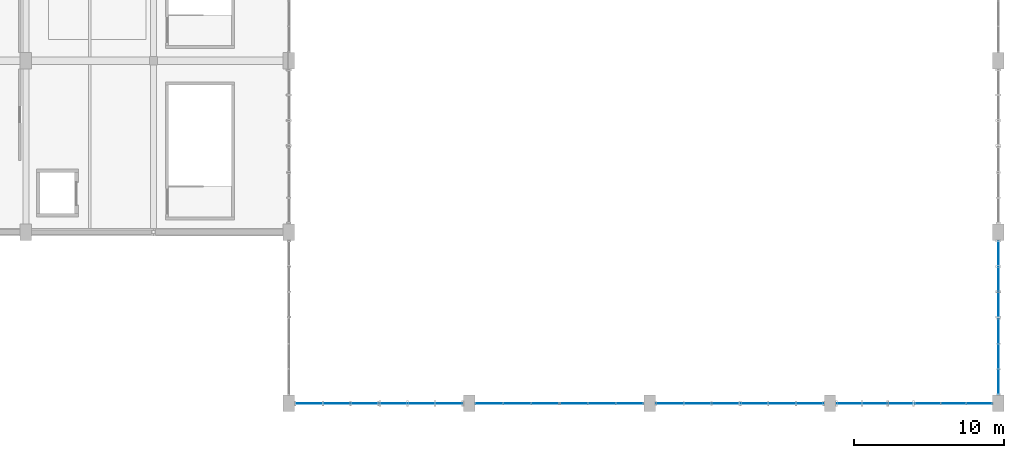
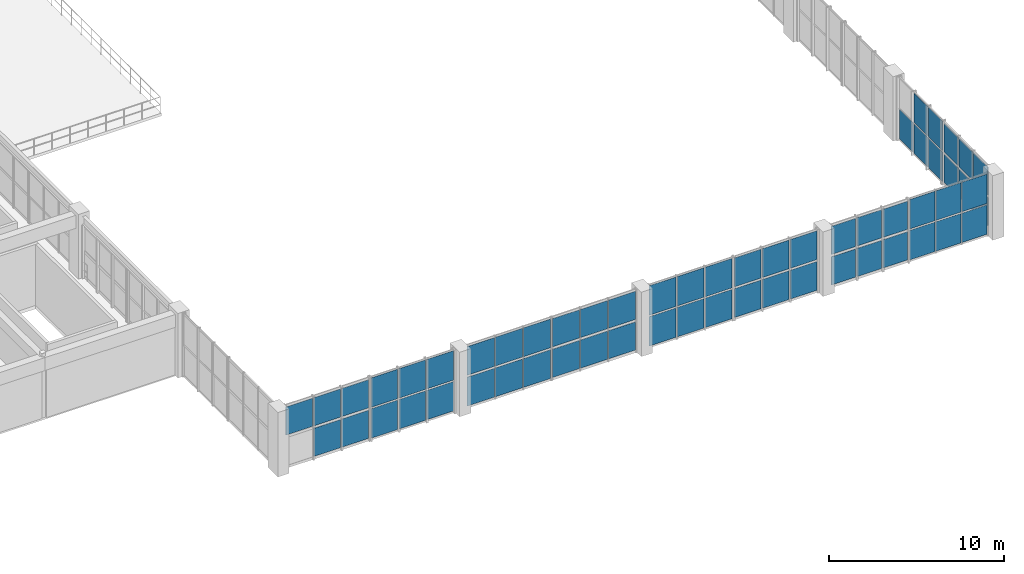
# One storey, part 58 of 80: 58 plates, 10 elements without a shape of their own.
"""IFC4 building model written with IfcOpenShell, lengths in metres."""

from ifc_helpers import new_model, si_unit, direction, frame, origin, origin_2d, place, context, subcontext, project, spatial, rectangle, extrude, material, layer, layer_set, type_object, element, aggregate, save


model = new_model("IFC4")

# Units and contexts
model_context = context("Model", 3, precision=1e-05, world=origin(), true_north=direction((0.0, 1.0)))
body_context = subcontext(model_context, "Body", "Model", "MODEL_VIEW")
ifc_project = project(units=[si_unit("LENGTHUNIT", "METRE"), si_unit("AREAUNIT", "SQUARE_METRE"), si_unit("VOLUMEUNIT", "CUBIC_METRE"), si_unit("PLANEANGLEUNIT", "RADIAN"), si_unit("MASSUNIT", "GRAM", prefix="KILO"), si_unit("POWERUNIT", "WATT"), si_unit("THERMODYNAMICTEMPERATUREUNIT", "KELVIN")], contexts=[model_context])

# Site, building, storey
site_placement = place(None, origin())
site = spatial("IfcSite", under=ifc_project, at=site_placement, CompositionType="ELEMENT")
building_placement = place(site_placement, origin())
building = spatial("IfcBuilding", under=site, at=building_placement, Name="Kelmbourne Parkland Aquatics Centre", CompositionType="ELEMENT")
storey_placement = place(building_placement, frame((0.0, 0.0, 10.199951171875)))
storey = spatial("IfcBuildingStorey", under=building, at=storey_placement, Name="L02", CompositionType="ELEMENT", Elevation=10.199951171875)

# Curtain wall, plates
ifc_material_1 = material(Name="Thermally broken anodised aluminium framing", Category="aluminium")
ifc_layer_1 = layer(ifc_material_1, 0.179931640625)
ifc_layer_set_1 = layer_set([ifc_layer_1], Name="Thermally broken anodised aluminium framing")
curtain_wall_type_1 = type_object("IfcCurtainWallType", Name="CW-02", PredefinedType="NOTDEFINED", material=ifc_layer_set_1)
curtain_wall_1_placement = place(storey_placement, origin())
curtain_wall_1 = element("IfcCurtainWall", 1, at=curtain_wall_1_placement, inside=storey, type_object=curtain_wall_type_1, Name="Wave-hall clerestory curtain wall CW-L02-002", PredefinedType="NOTDEFINED")
ifc_material_2 = material(Name="Double-glazed low-e laminated safety glass", Category="glass")
ifc_layer_2 = layer(ifc_material_2, 0.0419921875)
ifc_layer_set_2 = layer_set([ifc_layer_2], Name="Double-glazed low-e laminated safety glass")
plate_type_1 = type_object("IfcPlateType", Name="PL-CLR-1", PredefinedType="USERDEFINED", material=ifc_layer_set_2)
plate_1_placement = place(storey_placement, frame((175.199951171875, 2.23828125, 2.30908203125), z_axis=(0.0, 0.0, 1.0), x_axis=(0.0, 1.0, 0.0)))
plate_1 = element("IfcPlate", 2, at=plate_1_placement, type_object=plate_type_1, Name="CW-L02-002 clerestory glazing 1-0", ObjectType="CLERESTORY GLAZING", PredefinedType="USERDEFINED", context=body_context, shape_type="SweptSolid", body=[
    extrude(rectangle(XDim=1.61474609375, YDim=0.0419921875, at=origin_2d()), origin(), (0.0, 0.0, 1.0), 1.964111328125),
])
plate_2_placement = place(storey_placement, frame((175.199951171875, 3.926025390625, 2.30908203125), z_axis=(0.0, 0.0, 1.0), x_axis=(0.0, 1.0, 0.0)))
plate_2 = element("IfcPlate", 3, at=plate_2_placement, type_object=plate_type_1, Name="CW-L02-002 clerestory glazing 1-1", ObjectType="CLERESTORY GLAZING", PredefinedType="USERDEFINED", context=body_context, shape_type="SweptSolid", body=[
    extrude(rectangle(XDim=1.614501953125, YDim=0.0419921875, at=origin_2d()), origin(), (0.0, 0.0, 1.0), 1.964111328125),
])
plate_3_placement = place(storey_placement, frame((175.199951171875, 5.61376953125, 2.30908203125), z_axis=(0.0, 0.0, 1.0), x_axis=(0.0, 1.0, 0.0)))
plate_3 = element("IfcPlate", 4, at=plate_3_placement, type_object=plate_type_1, Name="CW-L02-002 clerestory glazing 1-2", ObjectType="CLERESTORY GLAZING", PredefinedType="USERDEFINED", context=body_context, shape_type="SweptSolid", body=[
    extrude(rectangle(XDim=1.61474609375, YDim=0.0419921875, at=origin_2d()), origin(), (0.0, 0.0, 1.0), 1.964111328125),
])

ifc_layer_3 = layer(ifc_material_1, 0.179931640625)
ifc_layer_set_3 = layer_set([ifc_layer_3], Name="Thermally broken anodised aluminium framing")
curtain_wall_type_2 = type_object("IfcCurtainWallType", Name="CW-09", PredefinedType="NOTDEFINED", material=ifc_layer_set_3)
curtain_wall_2_placement = place(storey_placement, origin())
curtain_wall_2 = element("IfcCurtainWall", 5, at=curtain_wall_2_placement, inside=storey, type_object=curtain_wall_type_2, Name="Wave-hall clerestory curtain wall CW-L02-009", PredefinedType="NOTDEFINED")
plate_4_placement = place(storey_placement, frame((175.199951171875, 7.39306640625, 2.279296875), z_axis=(0.0, 0.0, 1.0), x_axis=(0.0, 1.0, 0.0)))
plate_4 = element("IfcPlate", 6, at=plate_4_placement, type_object=plate_type_1, Name="CW-L02-009 clerestory glazing 1-0", ObjectType="CLERESTORY GLAZING", PredefinedType="USERDEFINED", context=body_context, shape_type="SweptSolid", body=[
    extrude(rectangle(XDim=1.587890625, YDim=0.0419921875, at=origin_2d()), origin(), (0.0, 0.0, 1.0), 2.053955078125),
])
plate_5_placement = place(storey_placement, frame((175.199951171875, 9.073974609375, 2.279296875), z_axis=(0.0, 0.0, 1.0), x_axis=(0.0, 1.0, 0.0)))
plate_5 = element("IfcPlate", 7, at=plate_5_placement, type_object=plate_type_1, Name="CW-L02-009 clerestory glazing 1-1", ObjectType="CLERESTORY GLAZING", PredefinedType="USERDEFINED", context=body_context, shape_type="SweptSolid", body=[
    extrude(rectangle(XDim=1.587890625, YDim=0.0419921875, at=origin_2d()), origin(), (0.0, 0.0, 1.0), 2.053955078125),
])

ifc_layer_4 = layer(ifc_material_1, 0.179931640625)
ifc_layer_set_4 = layer_set([ifc_layer_4], Name="Thermally broken anodised aluminium framing")
curtain_wall_type_3 = type_object("IfcCurtainWallType", Name="CW-17", PredefinedType="NOTDEFINED", material=ifc_layer_set_4)
curtain_wall_3_placement = place(storey_placement, origin())
curtain_wall_3 = element("IfcCurtainWall", 8, at=curtain_wall_3_placement, inside=storey, type_object=curtain_wall_type_3, Name="Wave-hall clerestory curtain wall CW-L02-113", PredefinedType="NOTDEFINED")
plate_6_placement = place(storey_placement, frame((129.345947265625, 0.800048828125, 2.30908203125), z_axis=(0.0, 0.0, 1.0), x_axis=(1.0, 0.0, 0.0)))
plate_6 = element("IfcPlate", 9, at=plate_6_placement, type_object=plate_type_1, Name="CW-L02-113 clerestory glazing 1-0", ObjectType="CLERESTORY GLAZING", PredefinedType="USERDEFINED", context=body_context, shape_type="SweptSolid", body=[
    extrude(rectangle(XDim=1.759765625, YDim=0.0419921875, at=origin_2d()), origin(), (0.0, 0.0, 1.0), 1.964111328125),
])
plate_7_placement = place(storey_placement, frame((131.1884765625, 0.800048828125, 2.30908203125), z_axis=(0.0, 0.0, 1.0), x_axis=(1.0, 0.0, 0.0)))
plate_7 = element("IfcPlate", 10, at=plate_7_placement, type_object=plate_type_1, Name="CW-L02-113 clerestory glazing 1-1", ObjectType="CLERESTORY GLAZING", PredefinedType="USERDEFINED", context=body_context, shape_type="SweptSolid", body=[
    extrude(rectangle(XDim=1.759521484375, YDim=0.0419921875, at=origin_2d()), origin(), (0.0, 0.0, 1.0), 1.964111328125),
])
plate_8_placement = place(storey_placement, frame((133.031005859375, 0.800048828125, 2.30908203125), z_axis=(0.0, 0.0, 1.0), x_axis=(1.0, 0.0, 0.0)))
plate_8 = element("IfcPlate", 11, at=plate_8_placement, type_object=plate_type_1, Name="CW-L02-113 clerestory glazing 1-2", ObjectType="CLERESTORY GLAZING", PredefinedType="USERDEFINED", context=body_context, shape_type="SweptSolid", body=[
    extrude(rectangle(XDim=1.759765625, YDim=0.0419921875, at=origin_2d()), origin(), (0.0, 0.0, 1.0), 1.964111328125),
])

ifc_layer_5 = layer(ifc_material_1, 0.179931640625)
ifc_layer_set_5 = layer_set([ifc_layer_5], Name="Thermally broken anodised aluminium framing")
curtain_wall_type_4 = type_object("IfcCurtainWallType", Name="CW-18", PredefinedType="NOTDEFINED", material=ifc_layer_set_5)
curtain_wall_4_placement = place(storey_placement, origin())
curtain_wall_4 = element("IfcCurtainWall", 12, at=curtain_wall_4_placement, inside=storey, type_object=curtain_wall_type_4, Name="Wave-hall clerestory curtain wall CW-L02-114", PredefinedType="NOTDEFINED")
plate_9_placement = place(storey_placement, frame((134.97216796875, 0.800048828125, 2.279296875), z_axis=(0.0, 0.0, 1.0), x_axis=(1.0, 0.0, 0.0)))
plate_9 = element("IfcPlate", 13, at=plate_9_placement, type_object=plate_type_1, Name="CW-L02-114 clerestory glazing 1-0", ObjectType="CLERESTORY GLAZING", PredefinedType="USERDEFINED", context=body_context, shape_type="SweptSolid", body=[
    extrude(rectangle(XDim=1.746337890625, YDim=0.0419921875, at=origin_2d()), origin(), (0.0, 0.0, 1.0), 2.053955078125),
])
plate_10_placement = place(storey_placement, frame((136.8115234375, 0.800048828125, 2.279296875), z_axis=(0.0, 0.0, 1.0), x_axis=(1.0, 0.0, 0.0)))
plate_10 = element("IfcPlate", 14, at=plate_10_placement, type_object=plate_type_1, Name="CW-L02-114 clerestory glazing 1-1", ObjectType="CLERESTORY GLAZING", PredefinedType="USERDEFINED", context=body_context, shape_type="SweptSolid", body=[
    extrude(rectangle(XDim=1.746337890625, YDim=0.0419921875, at=origin_2d()), origin(), (0.0, 0.0, 1.0), 2.053955078125),
])
plate_11_placement = place(storey_placement, frame((138.65087890625, 0.800048828125, 2.279296875), z_axis=(0.0, 0.0, 1.0), x_axis=(1.0, 0.0, 0.0)))
plate_11 = element("IfcPlate", 15, at=plate_11_placement, type_object=plate_type_1, Name="CW-L02-114 clerestory glazing 1-2", ObjectType="CLERESTORY GLAZING", PredefinedType="USERDEFINED", context=body_context, shape_type="SweptSolid", body=[
    extrude(rectangle(XDim=1.746337890625, YDim=0.0419921875, at=origin_2d()), origin(), (0.0, 0.0, 1.0), 2.053955078125),
])

ifc_layer_6 = layer(ifc_material_1, 0.179931640625)
ifc_layer_set_6 = layer_set([ifc_layer_6], Name="Thermally broken anodised aluminium framing")
curtain_wall_type_5 = type_object("IfcCurtainWallType", Name="CW-19", PredefinedType="NOTDEFINED", material=ifc_layer_set_6)
curtain_wall_5_placement = place(storey_placement, origin())
curtain_wall_5 = element("IfcCurtainWall", 16, at=curtain_wall_5_placement, inside=storey, type_object=curtain_wall_type_5, Name="Wave-hall clerestory curtain wall CW-L02-115", PredefinedType="NOTDEFINED")
plate_12_placement = place(storey_placement, frame((141.3359375, 0.800048828125, 2.2939453125), z_axis=(0.0, 0.0, 1.0), x_axis=(1.0, 0.0, 0.0)))
plate_12 = element("IfcPlate", 17, at=plate_12_placement, type_object=plate_type_1, Name="CW-L02-115 clerestory glazing 1-0", ObjectType="CLERESTORY GLAZING", PredefinedType="USERDEFINED", context=body_context, shape_type="SweptSolid", body=[
    extrude(rectangle(XDim=1.7998046875, YDim=0.0419921875, at=origin_2d()), origin(), (0.0, 0.0, 1.0), 2.009033203125),
])
plate_13_placement = place(storey_placement, frame((143.1884765625, 0.800048828125, 2.2939453125), z_axis=(0.0, 0.0, 1.0), x_axis=(1.0, 0.0, 0.0)))
plate_13 = element("IfcPlate", 18, at=plate_13_placement, type_object=plate_type_1, Name="CW-L02-115 clerestory glazing 1-1", ObjectType="CLERESTORY GLAZING", PredefinedType="USERDEFINED", context=body_context, shape_type="SweptSolid", body=[
    extrude(rectangle(XDim=1.799560546875, YDim=0.0419921875, at=origin_2d()), origin(), (0.0, 0.0, 1.0), 2.009033203125),
])
plate_14_placement = place(storey_placement, frame((145.041259765625, 0.800048828125, 2.2939453125), z_axis=(0.0, 0.0, 1.0), x_axis=(1.0, 0.0, 0.0)))
plate_14 = element("IfcPlate", 19, at=plate_14_placement, type_object=plate_type_1, Name="CW-L02-115 clerestory glazing 1-2", ObjectType="CLERESTORY GLAZING", PredefinedType="USERDEFINED", context=body_context, shape_type="SweptSolid", body=[
    extrude(rectangle(XDim=1.7998046875, YDim=0.0419921875, at=origin_2d()), origin(), (0.0, 0.0, 1.0), 2.009033203125),
])

ifc_layer_7 = layer(ifc_material_1, 0.179931640625)
ifc_layer_set_7 = layer_set([ifc_layer_7], Name="Thermally broken anodised aluminium framing")
curtain_wall_type_6 = type_object("IfcCurtainWallType", Name="CW-20", PredefinedType="NOTDEFINED", material=ifc_layer_set_7)
curtain_wall_6_placement = place(storey_placement, origin())
curtain_wall_6 = element("IfcCurtainWall", 20, at=curtain_wall_6_placement, inside=storey, type_object=curtain_wall_type_6, Name="Wave-hall clerestory curtain wall CW-L02-116", PredefinedType="NOTDEFINED")
plate_15_placement = place(storey_placement, frame((146.962158203125, 0.800048828125, 2.30908203125), z_axis=(0.0, 0.0, 1.0), x_axis=(1.0, 0.0, 0.0)))
plate_15 = element("IfcPlate", 21, at=plate_15_placement, type_object=plate_type_1, Name="CW-L02-116 clerestory glazing 1-0", ObjectType="CLERESTORY GLAZING", PredefinedType="USERDEFINED", context=body_context, shape_type="SweptSolid", body=[
    extrude(rectangle(XDim=1.786376953125, YDim=0.0419921875, at=origin_2d()), origin(), (0.0, 0.0, 1.0), 1.964111328125),
])
plate_16_placement = place(storey_placement, frame((148.8115234375, 0.800048828125, 2.30908203125), z_axis=(0.0, 0.0, 1.0), x_axis=(1.0, 0.0, 0.0)))
plate_16 = element("IfcPlate", 22, at=plate_16_placement, type_object=plate_type_1, Name="CW-L02-116 clerestory glazing 1-1", ObjectType="CLERESTORY GLAZING", PredefinedType="USERDEFINED", context=body_context, shape_type="SweptSolid", body=[
    extrude(rectangle(XDim=1.786376953125, YDim=0.0419921875, at=origin_2d()), origin(), (0.0, 0.0, 1.0), 1.964111328125),
])
plate_17_placement = place(storey_placement, frame((150.660888671875, 0.800048828125, 2.30908203125), z_axis=(0.0, 0.0, 1.0), x_axis=(1.0, 0.0, 0.0)))
plate_17 = element("IfcPlate", 23, at=plate_17_placement, type_object=plate_type_1, Name="CW-L02-116 clerestory glazing 1-2", ObjectType="CLERESTORY GLAZING", PredefinedType="USERDEFINED", context=body_context, shape_type="SweptSolid", body=[
    extrude(rectangle(XDim=1.786376953125, YDim=0.0419921875, at=origin_2d()), origin(), (0.0, 0.0, 1.0), 1.964111328125),
])

ifc_layer_8 = layer(ifc_material_1, 0.179931640625)
ifc_layer_set_8 = layer_set([ifc_layer_8], Name="Thermally broken anodised aluminium framing")
curtain_wall_type_7 = type_object("IfcCurtainWallType", Name="CW-21", PredefinedType="NOTDEFINED", material=ifc_layer_set_8)
curtain_wall_7_placement = place(storey_placement, origin())
curtain_wall_7 = element("IfcCurtainWall", 24, at=curtain_wall_7_placement, inside=storey, type_object=curtain_wall_type_7, Name="Wave-hall clerestory curtain wall CW-L02-117", PredefinedType="NOTDEFINED")
plate_18_placement = place(storey_placement, frame((153.342529296875, 0.800048828125, 2.279296875), z_axis=(0.0, 0.0, 1.0), x_axis=(1.0, 0.0, 0.0)))
plate_18 = element("IfcPlate", 25, at=plate_18_placement, type_object=plate_type_1, Name="CW-L02-117 clerestory glazing 1-0", ObjectType="CLERESTORY GLAZING", PredefinedType="USERDEFINED", context=body_context, shape_type="SweptSolid", body=[
    extrude(rectangle(XDim=1.77294921875, YDim=0.0419921875, at=origin_2d()), origin(), (0.0, 0.0, 1.0), 2.053955078125),
])
plate_19_placement = place(storey_placement, frame((155.1884765625, 0.800048828125, 2.279296875), z_axis=(0.0, 0.0, 1.0), x_axis=(1.0, 0.0, 0.0)))
plate_19 = element("IfcPlate", 26, at=plate_19_placement, type_object=plate_type_1, Name="CW-L02-117 clerestory glazing 1-1", ObjectType="CLERESTORY GLAZING", PredefinedType="USERDEFINED", context=body_context, shape_type="SweptSolid", body=[
    extrude(rectangle(XDim=1.77294921875, YDim=0.0419921875, at=origin_2d()), origin(), (0.0, 0.0, 1.0), 2.053955078125),
])
plate_20_placement = place(storey_placement, frame((157.034423828125, 0.800048828125, 2.279296875), z_axis=(0.0, 0.0, 1.0), x_axis=(1.0, 0.0, 0.0)))
plate_20 = element("IfcPlate", 27, at=plate_20_placement, type_object=plate_type_1, Name="CW-L02-117 clerestory glazing 1-2", ObjectType="CLERESTORY GLAZING", PredefinedType="USERDEFINED", context=body_context, shape_type="SweptSolid", body=[
    extrude(rectangle(XDim=1.77294921875, YDim=0.0419921875, at=origin_2d()), origin(), (0.0, 0.0, 1.0), 2.053955078125),
])

ifc_layer_9 = layer(ifc_material_1, 0.179931640625)
ifc_layer_set_9 = layer_set([ifc_layer_9], Name="Thermally broken anodised aluminium framing")
curtain_wall_type_8 = type_object("IfcCurtainWallType", Name="CW-22", PredefinedType="NOTDEFINED", material=ifc_layer_set_9)
curtain_wall_8_placement = place(storey_placement, origin())
curtain_wall_8 = element("IfcCurtainWall", 28, at=curtain_wall_8_placement, inside=storey, type_object=curtain_wall_type_8, Name="Wave-hall clerestory curtain wall CW-L02-118", PredefinedType="NOTDEFINED")
plate_21_placement = place(storey_placement, frame((158.968994140625, 0.800048828125, 2.2939453125), z_axis=(0.0, 0.0, 1.0), x_axis=(1.0, 0.0, 0.0)))
plate_21 = element("IfcPlate", 29, at=plate_21_placement, type_object=plate_type_1, Name="CW-L02-118 clerestory glazing 1-0", ObjectType="CLERESTORY GLAZING", PredefinedType="USERDEFINED", context=body_context, shape_type="SweptSolid", body=[
    extrude(rectangle(XDim=1.759765625, YDim=0.0419921875, at=origin_2d()), origin(), (0.0, 0.0, 1.0), 2.009033203125),
])
plate_22_placement = place(storey_placement, frame((160.8115234375, 0.800048828125, 2.2939453125), z_axis=(0.0, 0.0, 1.0), x_axis=(1.0, 0.0, 0.0)))
plate_22 = element("IfcPlate", 30, at=plate_22_placement, type_object=plate_type_1, Name="CW-L02-118 clerestory glazing 1-1", ObjectType="CLERESTORY GLAZING", PredefinedType="USERDEFINED", context=body_context, shape_type="SweptSolid", body=[
    extrude(rectangle(XDim=1.759521484375, YDim=0.0419921875, at=origin_2d()), origin(), (0.0, 0.0, 1.0), 2.009033203125),
])
plate_23_placement = place(storey_placement, frame((162.654052734375, 0.800048828125, 2.2939453125), z_axis=(0.0, 0.0, 1.0), x_axis=(1.0, 0.0, 0.0)))
plate_23 = element("IfcPlate", 31, at=plate_23_placement, type_object=plate_type_1, Name="CW-L02-118 clerestory glazing 1-2", ObjectType="CLERESTORY GLAZING", PredefinedType="USERDEFINED", context=body_context, shape_type="SweptSolid", body=[
    extrude(rectangle(XDim=1.759765625, YDim=0.0419921875, at=origin_2d()), origin(), (0.0, 0.0, 1.0), 2.009033203125),
])

ifc_layer_10 = layer(ifc_material_1, 0.179931640625)
ifc_layer_set_10 = layer_set([ifc_layer_10], Name="Thermally broken anodised aluminium framing")
curtain_wall_type_9 = type_object("IfcCurtainWallType", Name="CW-23", PredefinedType="NOTDEFINED", material=ifc_layer_set_10)
curtain_wall_9_placement = place(storey_placement, origin())
curtain_wall_9 = element("IfcCurtainWall", 32, at=curtain_wall_9_placement, inside=storey, type_object=curtain_wall_type_9, Name="Wave-hall clerestory curtain wall CW-L02-119", PredefinedType="NOTDEFINED")
plate_24_placement = place(storey_placement, frame((165.282470703125, 0.800048828125, 2.30908203125), z_axis=(0.0, 0.0, 1.0), x_axis=(1.0, 0.0, 0.0)))
plate_24 = element("IfcPlate", 33, at=plate_24_placement, type_object=plate_type_1, Name="CW-L02-119 clerestory glazing 1-0", ObjectType="CLERESTORY GLAZING", PredefinedType="USERDEFINED", context=body_context, shape_type="SweptSolid", body=[
    extrude(rectangle(XDim=1.613037109375, YDim=0.0419921875, at=origin_2d()), origin(), (0.0, 0.0, 1.0), 1.964111328125),
])
plate_25_placement = place(storey_placement, frame((166.988525390625, 0.800048828125, 2.30908203125), z_axis=(0.0, 0.0, 1.0), x_axis=(1.0, 0.0, 0.0)))
plate_25 = element("IfcPlate", 34, at=plate_25_placement, type_object=plate_type_1, Name="CW-L02-119 clerestory glazing 1-1", ObjectType="CLERESTORY GLAZING", PredefinedType="USERDEFINED", context=body_context, shape_type="SweptSolid", body=[
    extrude(rectangle(XDim=1.613037109375, YDim=0.0419921875, at=origin_2d()), origin(), (0.0, 0.0, 1.0), 1.964111328125),
])
plate_26_placement = place(storey_placement, frame((168.694580078125, 0.800048828125, 2.30908203125), z_axis=(0.0, 0.0, 1.0), x_axis=(1.0, 0.0, 0.0)))
plate_26 = element("IfcPlate", 35, at=plate_26_placement, type_object=plate_type_1, Name="CW-L02-119 clerestory glazing 1-2", ObjectType="CLERESTORY GLAZING", PredefinedType="USERDEFINED", context=body_context, shape_type="SweptSolid", body=[
    extrude(rectangle(XDim=1.613037109375, YDim=0.0419921875, at=origin_2d()), origin(), (0.0, 0.0, 1.0), 1.964111328125),
])

ifc_layer_11 = layer(ifc_material_1, 0.179931640625)
ifc_layer_set_11 = layer_set([ifc_layer_11], Name="Thermally broken anodised aluminium framing")
curtain_wall_type_10 = type_object("IfcCurtainWallType", Name="CW-24", PredefinedType="NOTDEFINED", material=ifc_layer_set_11)
curtain_wall_10_placement = place(storey_placement, origin())
curtain_wall_10 = element("IfcCurtainWall", 36, at=curtain_wall_10_placement, inside=storey, type_object=curtain_wall_type_10, Name="Wave-hall clerestory curtain wall CW-L02-120", PredefinedType="NOTDEFINED")
plate_27_placement = place(storey_placement, frame((170.4921875, 0.800048828125, 2.279296875), z_axis=(0.0, 0.0, 1.0), x_axis=(1.0, 0.0, 0.0)))
plate_27 = element("IfcPlate", 37, at=plate_27_placement, type_object=plate_type_1, Name="CW-L02-120 clerestory glazing 1-0", ObjectType="CLERESTORY GLAZING", PredefinedType="USERDEFINED", context=body_context, shape_type="SweptSolid", body=[
    extrude(rectangle(XDim=1.666259765625, YDim=0.0419921875, at=origin_2d()), origin(), (0.0, 0.0, 1.0), 2.053955078125),
])
plate_28_placement = place(storey_placement, frame((172.21142578125, 0.800048828125, 2.279296875), z_axis=(0.0, 0.0, 1.0), x_axis=(1.0, 0.0, 0.0)))
plate_28 = element("IfcPlate", 38, at=plate_28_placement, type_object=plate_type_1, Name="CW-L02-120 clerestory glazing 1-1", ObjectType="CLERESTORY GLAZING", PredefinedType="USERDEFINED", context=body_context, shape_type="SweptSolid", body=[
    extrude(rectangle(XDim=1.66650390625, YDim=0.0419921875, at=origin_2d()), origin(), (0.0, 0.0, 1.0), 2.053955078125),
])
plate_29_placement = place(storey_placement, frame((173.930908203125, 0.800048828125, 2.279296875), z_axis=(0.0, 0.0, 1.0), x_axis=(1.0, 0.0, 0.0)))
plate_29 = element("IfcPlate", 39, at=plate_29_placement, type_object=plate_type_1, Name="CW-L02-120 clerestory glazing 1-2", ObjectType="CLERESTORY GLAZING", PredefinedType="USERDEFINED", context=body_context, shape_type="SweptSolid", body=[
    extrude(rectangle(XDim=1.666259765625, YDim=0.0419921875, at=origin_2d()), origin(), (0.0, 0.0, 1.0), 2.053955078125),
])

# Plate
ifc_layer_12 = layer(ifc_material_2, 0.02392578125)
ifc_layer_set_12 = layer_set([ifc_layer_12], Name="Double-glazed low-e laminated safety glass")
plate_type_2 = type_object("IfcPlateType", Name="PL-CWP-1", PredefinedType="CURTAIN_PANEL", material=ifc_layer_set_12)
plate_30_placement = place(storey_placement, frame((175.199951171875, 7.39306640625, 0.1171875), z_axis=(0.0, 0.0, 1.0), x_axis=(0.0, 1.0, 0.0)))
plate_30 = element("IfcPlate", 40, at=plate_30_placement, type_object=plate_type_2, Name="CW-L02-009 vision glazing 0-0", PredefinedType="CURTAIN_PANEL", context=body_context, shape_type="SweptSolid", body=[
    extrude(rectangle(XDim=1.587890625, YDim=0.02392578125, at=origin_2d()), origin(), (0.0, 0.0, 1.0), 2.053955078125),
])

plate_31_placement = place(storey_placement, frame((175.199951171875, 9.073974609375, 0.1171875), z_axis=(0.0, 0.0, 1.0), x_axis=(0.0, 1.0, 0.0)))
plate_31 = element("IfcPlate", 41, at=plate_31_placement, type_object=plate_type_2, Name="CW-L02-009 vision glazing 0-1", PredefinedType="CURTAIN_PANEL", context=body_context, shape_type="SweptSolid", body=[
    extrude(rectangle(XDim=1.587890625, YDim=0.02392578125, at=origin_2d()), origin(), (0.0, 0.0, 1.0), 2.053955078125),
])

plate_32_placement = place(storey_placement, frame((175.199951171875, 10.7548828125, 0.1171875), z_axis=(0.0, 0.0, 1.0), x_axis=(0.0, 1.0, 0.0)))
plate_32 = element("IfcPlate", 42, at=plate_32_placement, type_object=plate_type_2, Name="CW-L02-009 vision glazing 0-2", PredefinedType="CURTAIN_PANEL", context=body_context, shape_type="SweptSolid", body=[
    extrude(rectangle(XDim=1.587890625, YDim=0.02392578125, at=origin_2d()), origin(), (0.0, 0.0, 1.0), 2.053955078125),
])

aggregate(curtain_wall_2, [plate_30, plate_31, plate_32, plate_4, plate_5])

plate_33_placement = place(storey_placement, frame((134.97216796875, 0.800048828125, 0.1171875), z_axis=(0.0, 0.0, 1.0), x_axis=(1.0, 0.0, 0.0)))
plate_33 = element("IfcPlate", 43, at=plate_33_placement, type_object=plate_type_2, Name="CW-L02-114 vision glazing 0-0", PredefinedType="CURTAIN_PANEL", context=body_context, shape_type="SweptSolid", body=[
    extrude(rectangle(XDim=1.746337890625, YDim=0.02392578125, at=origin_2d()), origin(), (0.0, 0.0, 1.0), 2.053955078125),
])

plate_34_placement = place(storey_placement, frame((136.8115234375, 0.800048828125, 0.1171875), z_axis=(0.0, 0.0, 1.0), x_axis=(1.0, 0.0, 0.0)))
plate_34 = element("IfcPlate", 44, at=plate_34_placement, type_object=plate_type_2, Name="CW-L02-114 vision glazing 0-1", PredefinedType="CURTAIN_PANEL", context=body_context, shape_type="SweptSolid", body=[
    extrude(rectangle(XDim=1.746337890625, YDim=0.02392578125, at=origin_2d()), origin(), (0.0, 0.0, 1.0), 2.053955078125),
])

plate_35_placement = place(storey_placement, frame((138.65087890625, 0.800048828125, 0.1171875), z_axis=(0.0, 0.0, 1.0), x_axis=(1.0, 0.0, 0.0)))
plate_35 = element("IfcPlate", 45, at=plate_35_placement, type_object=plate_type_2, Name="CW-L02-114 vision glazing 0-2", PredefinedType="CURTAIN_PANEL", context=body_context, shape_type="SweptSolid", body=[
    extrude(rectangle(XDim=1.746337890625, YDim=0.02392578125, at=origin_2d()), origin(), (0.0, 0.0, 1.0), 2.053955078125),
])

aggregate(curtain_wall_4, [plate_33, plate_34, plate_35, plate_9, plate_10, plate_11])

plate_36_placement = place(storey_placement, frame((153.342529296875, 0.800048828125, 0.1171875), z_axis=(0.0, 0.0, 1.0), x_axis=(1.0, 0.0, 0.0)))
plate_36 = element("IfcPlate", 46, at=plate_36_placement, type_object=plate_type_2, Name="CW-L02-117 vision glazing 0-0", PredefinedType="CURTAIN_PANEL", context=body_context, shape_type="SweptSolid", body=[
    extrude(rectangle(XDim=1.77294921875, YDim=0.02392578125, at=origin_2d()), origin(), (0.0, 0.0, 1.0), 2.053955078125),
])

plate_37_placement = place(storey_placement, frame((155.1884765625, 0.800048828125, 0.1171875), z_axis=(0.0, 0.0, 1.0), x_axis=(1.0, 0.0, 0.0)))
plate_37 = element("IfcPlate", 47, at=plate_37_placement, type_object=plate_type_2, Name="CW-L02-117 vision glazing 0-1", PredefinedType="CURTAIN_PANEL", context=body_context, shape_type="SweptSolid", body=[
    extrude(rectangle(XDim=1.77294921875, YDim=0.02392578125, at=origin_2d()), origin(), (0.0, 0.0, 1.0), 2.053955078125),
])

plate_38_placement = place(storey_placement, frame((157.034423828125, 0.800048828125, 0.1171875), z_axis=(0.0, 0.0, 1.0), x_axis=(1.0, 0.0, 0.0)))
plate_38 = element("IfcPlate", 48, at=plate_38_placement, type_object=plate_type_2, Name="CW-L02-117 vision glazing 0-2", PredefinedType="CURTAIN_PANEL", context=body_context, shape_type="SweptSolid", body=[
    extrude(rectangle(XDim=1.77294921875, YDim=0.02392578125, at=origin_2d()), origin(), (0.0, 0.0, 1.0), 2.053955078125),
])

aggregate(curtain_wall_7, [plate_36, plate_37, plate_38, plate_18, plate_19, plate_20])

plate_39_placement = place(storey_placement, frame((170.4921875, 0.800048828125, 0.1171875), z_axis=(0.0, 0.0, 1.0), x_axis=(1.0, 0.0, 0.0)))
plate_39 = element("IfcPlate", 49, at=plate_39_placement, type_object=plate_type_2, Name="CW-L02-120 vision glazing 0-0", PredefinedType="CURTAIN_PANEL", context=body_context, shape_type="SweptSolid", body=[
    extrude(rectangle(XDim=1.666259765625, YDim=0.02392578125, at=origin_2d()), origin(), (0.0, 0.0, 1.0), 2.053955078125),
])

plate_40_placement = place(storey_placement, frame((172.21142578125, 0.800048828125, 0.1171875), z_axis=(0.0, 0.0, 1.0), x_axis=(1.0, 0.0, 0.0)))
plate_40 = element("IfcPlate", 50, at=plate_40_placement, type_object=plate_type_2, Name="CW-L02-120 vision glazing 0-1", PredefinedType="CURTAIN_PANEL", context=body_context, shape_type="SweptSolid", body=[
    extrude(rectangle(XDim=1.66650390625, YDim=0.02392578125, at=origin_2d()), origin(), (0.0, 0.0, 1.0), 2.053955078125),
])

plate_41_placement = place(storey_placement, frame((173.930908203125, 0.800048828125, 0.1171875), z_axis=(0.0, 0.0, 1.0), x_axis=(1.0, 0.0, 0.0)))
plate_41 = element("IfcPlate", 51, at=plate_41_placement, type_object=plate_type_2, Name="CW-L02-120 vision glazing 0-2", PredefinedType="CURTAIN_PANEL", context=body_context, shape_type="SweptSolid", body=[
    extrude(rectangle(XDim=1.666259765625, YDim=0.02392578125, at=origin_2d()), origin(), (0.0, 0.0, 1.0), 2.053955078125),
])

aggregate(curtain_wall_10, [plate_39, plate_40, plate_41, plate_27, plate_28, plate_29])

ifc_layer_13 = layer(ifc_material_2, 0.035888671875)
ifc_layer_set_13 = layer_set([ifc_layer_13], Name="Double-glazed low-e laminated safety glass")
plate_type_3 = type_object("IfcPlateType", Name="PL-CWP-2", PredefinedType="CURTAIN_PANEL", material=ifc_layer_set_13)
plate_42_placement = place(storey_placement, frame((141.3359375, 0.800048828125, 0.14697265625), z_axis=(0.0, 0.0, 1.0), x_axis=(1.0, 0.0, 0.0)))
plate_42 = element("IfcPlate", 52, at=plate_42_placement, type_object=plate_type_3, Name="CW-L02-115 vision glazing 0-0", PredefinedType="CURTAIN_PANEL", context=body_context, shape_type="SweptSolid", body=[
    extrude(rectangle(XDim=1.7998046875, YDim=0.035888671875, at=origin_2d()), origin(), (0.0, 0.0, 1.0), 2.009033203125),
])

plate_43_placement = place(storey_placement, frame((143.1884765625, 0.800048828125, 0.14697265625), z_axis=(0.0, 0.0, 1.0), x_axis=(1.0, 0.0, 0.0)))
plate_43 = element("IfcPlate", 53, at=plate_43_placement, type_object=plate_type_3, Name="CW-L02-115 vision glazing 0-1", PredefinedType="CURTAIN_PANEL", context=body_context, shape_type="SweptSolid", body=[
    extrude(rectangle(XDim=1.799560546875, YDim=0.035888671875, at=origin_2d()), origin(), (0.0, 0.0, 1.0), 2.009033203125),
])

plate_44_placement = place(storey_placement, frame((145.041259765625, 0.800048828125, 0.14697265625), z_axis=(0.0, 0.0, 1.0), x_axis=(1.0, 0.0, 0.0)))
plate_44 = element("IfcPlate", 54, at=plate_44_placement, type_object=plate_type_3, Name="CW-L02-115 vision glazing 0-2", PredefinedType="CURTAIN_PANEL", context=body_context, shape_type="SweptSolid", body=[
    extrude(rectangle(XDim=1.7998046875, YDim=0.035888671875, at=origin_2d()), origin(), (0.0, 0.0, 1.0), 2.009033203125),
])

aggregate(curtain_wall_5, [plate_42, plate_43, plate_44, plate_12, plate_13, plate_14])

plate_45_placement = place(storey_placement, frame((158.968994140625, 0.800048828125, 0.14697265625), z_axis=(0.0, 0.0, 1.0), x_axis=(1.0, 0.0, 0.0)))
plate_45 = element("IfcPlate", 55, at=plate_45_placement, type_object=plate_type_3, Name="CW-L02-118 vision glazing 0-0", PredefinedType="CURTAIN_PANEL", context=body_context, shape_type="SweptSolid", body=[
    extrude(rectangle(XDim=1.759765625, YDim=0.035888671875, at=origin_2d()), origin(), (0.0, 0.0, 1.0), 2.009033203125),
])

plate_46_placement = place(storey_placement, frame((160.8115234375, 0.800048828125, 0.14697265625), z_axis=(0.0, 0.0, 1.0), x_axis=(1.0, 0.0, 0.0)))
plate_46 = element("IfcPlate", 56, at=plate_46_placement, type_object=plate_type_3, Name="CW-L02-118 vision glazing 0-1", PredefinedType="CURTAIN_PANEL", context=body_context, shape_type="SweptSolid", body=[
    extrude(rectangle(XDim=1.759521484375, YDim=0.035888671875, at=origin_2d()), origin(), (0.0, 0.0, 1.0), 2.009033203125),
])

plate_47_placement = place(storey_placement, frame((162.654052734375, 0.800048828125, 0.14697265625), z_axis=(0.0, 0.0, 1.0), x_axis=(1.0, 0.0, 0.0)))
plate_47 = element("IfcPlate", 57, at=plate_47_placement, type_object=plate_type_3, Name="CW-L02-118 vision glazing 0-2", PredefinedType="CURTAIN_PANEL", context=body_context, shape_type="SweptSolid", body=[
    extrude(rectangle(XDim=1.759765625, YDim=0.035888671875, at=origin_2d()), origin(), (0.0, 0.0, 1.0), 2.009033203125),
])

aggregate(curtain_wall_8, [plate_45, plate_46, plate_47, plate_21, plate_22, plate_23])

ifc_layer_14 = layer(ifc_material_2, 0.048095703125)
ifc_layer_set_14 = layer_set([ifc_layer_14], Name="Double-glazed low-e laminated safety glass")
plate_type_4 = type_object("IfcPlateType", Name="PL-CWP-3", PredefinedType="CURTAIN_PANEL", material=ifc_layer_set_14)
plate_48_placement = place(storey_placement, frame((175.199951171875, 2.23828125, 0.1767578125), z_axis=(0.0, 0.0, 1.0), x_axis=(0.0, 1.0, 0.0)))
plate_48 = element("IfcPlate", 58, at=plate_48_placement, type_object=plate_type_4, Name="CW-L02-002 vision glazing 0-0", PredefinedType="CURTAIN_PANEL", context=body_context, shape_type="SweptSolid", body=[
    extrude(rectangle(XDim=1.61474609375, YDim=0.048095703125, at=origin_2d()), origin(), (0.0, 0.0, 1.0), 1.964111328125),
])

plate_49_placement = place(storey_placement, frame((175.199951171875, 3.926025390625, 0.1767578125), z_axis=(0.0, 0.0, 1.0), x_axis=(0.0, 1.0, 0.0)))
plate_49 = element("IfcPlate", 59, at=plate_49_placement, type_object=plate_type_4, Name="CW-L02-002 vision glazing 0-1", PredefinedType="CURTAIN_PANEL", context=body_context, shape_type="SweptSolid", body=[
    extrude(rectangle(XDim=1.614501953125, YDim=0.048095703125, at=origin_2d()), origin(), (0.0, 0.0, 1.0), 1.964111328125),
])

plate_50_placement = place(storey_placement, frame((175.199951171875, 5.61376953125, 0.1767578125), z_axis=(0.0, 0.0, 1.0), x_axis=(0.0, 1.0, 0.0)))
plate_50 = element("IfcPlate", 60, at=plate_50_placement, type_object=plate_type_4, Name="CW-L02-002 vision glazing 0-2", PredefinedType="CURTAIN_PANEL", context=body_context, shape_type="SweptSolid", body=[
    extrude(rectangle(XDim=1.61474609375, YDim=0.048095703125, at=origin_2d()), origin(), (0.0, 0.0, 1.0), 1.964111328125),
])

aggregate(curtain_wall_1, [plate_48, plate_49, plate_50, plate_1, plate_2, plate_3])

plate_51_placement = place(storey_placement, frame((131.1884765625, 0.800048828125, 0.1767578125), z_axis=(0.0, 0.0, 1.0), x_axis=(1.0, 0.0, 0.0)))
plate_51 = element("IfcPlate", 61, at=plate_51_placement, type_object=plate_type_4, Name="CW-L02-113 vision glazing 0-1", PredefinedType="CURTAIN_PANEL", context=body_context, shape_type="SweptSolid", body=[
    extrude(rectangle(XDim=1.759521484375, YDim=0.048095703125, at=origin_2d()), origin(), (0.0, 0.0, 1.0), 1.964111328125),
])

plate_52_placement = place(storey_placement, frame((133.031005859375, 0.800048828125, 0.1767578125), z_axis=(0.0, 0.0, 1.0), x_axis=(1.0, 0.0, 0.0)))
plate_52 = element("IfcPlate", 62, at=plate_52_placement, type_object=plate_type_4, Name="CW-L02-113 vision glazing 0-2", PredefinedType="CURTAIN_PANEL", context=body_context, shape_type="SweptSolid", body=[
    extrude(rectangle(XDim=1.759765625, YDim=0.048095703125, at=origin_2d()), origin(), (0.0, 0.0, 1.0), 1.964111328125),
])

aggregate(curtain_wall_3, [plate_51, plate_52, plate_6, plate_7, plate_8])

plate_53_placement = place(storey_placement, frame((146.962158203125, 0.800048828125, 0.1767578125), z_axis=(0.0, 0.0, 1.0), x_axis=(1.0, 0.0, 0.0)))
plate_53 = element("IfcPlate", 63, at=plate_53_placement, type_object=plate_type_4, Name="CW-L02-116 vision glazing 0-0", PredefinedType="CURTAIN_PANEL", context=body_context, shape_type="SweptSolid", body=[
    extrude(rectangle(XDim=1.786376953125, YDim=0.048095703125, at=origin_2d()), origin(), (0.0, 0.0, 1.0), 1.964111328125),
])

plate_54_placement = place(storey_placement, frame((148.8115234375, 0.800048828125, 0.1767578125), z_axis=(0.0, 0.0, 1.0), x_axis=(1.0, 0.0, 0.0)))
plate_54 = element("IfcPlate", 64, at=plate_54_placement, type_object=plate_type_4, Name="CW-L02-116 vision glazing 0-1", PredefinedType="CURTAIN_PANEL", context=body_context, shape_type="SweptSolid", body=[
    extrude(rectangle(XDim=1.786376953125, YDim=0.048095703125, at=origin_2d()), origin(), (0.0, 0.0, 1.0), 1.964111328125),
])

plate_55_placement = place(storey_placement, frame((150.660888671875, 0.800048828125, 0.1767578125), z_axis=(0.0, 0.0, 1.0), x_axis=(1.0, 0.0, 0.0)))
plate_55 = element("IfcPlate", 65, at=plate_55_placement, type_object=plate_type_4, Name="CW-L02-116 vision glazing 0-2", PredefinedType="CURTAIN_PANEL", context=body_context, shape_type="SweptSolid", body=[
    extrude(rectangle(XDim=1.786376953125, YDim=0.048095703125, at=origin_2d()), origin(), (0.0, 0.0, 1.0), 1.964111328125),
])

aggregate(curtain_wall_6, [plate_53, plate_54, plate_55, plate_15, plate_16, plate_17])

plate_56_placement = place(storey_placement, frame((165.282470703125, 0.800048828125, 0.1767578125), z_axis=(0.0, 0.0, 1.0), x_axis=(1.0, 0.0, 0.0)))
plate_56 = element("IfcPlate", 66, at=plate_56_placement, type_object=plate_type_4, Name="CW-L02-119 vision glazing 0-0", PredefinedType="CURTAIN_PANEL", context=body_context, shape_type="SweptSolid", body=[
    extrude(rectangle(XDim=1.613037109375, YDim=0.048095703125, at=origin_2d()), origin(), (0.0, 0.0, 1.0), 1.964111328125),
])

plate_57_placement = place(storey_placement, frame((166.988525390625, 0.800048828125, 0.1767578125), z_axis=(0.0, 0.0, 1.0), x_axis=(1.0, 0.0, 0.0)))
plate_57 = element("IfcPlate", 67, at=plate_57_placement, type_object=plate_type_4, Name="CW-L02-119 vision glazing 0-1", PredefinedType="CURTAIN_PANEL", context=body_context, shape_type="SweptSolid", body=[
    extrude(rectangle(XDim=1.613037109375, YDim=0.048095703125, at=origin_2d()), origin(), (0.0, 0.0, 1.0), 1.964111328125),
])

plate_58_placement = place(storey_placement, frame((168.694580078125, 0.800048828125, 0.1767578125), z_axis=(0.0, 0.0, 1.0), x_axis=(1.0, 0.0, 0.0)))
plate_58 = element("IfcPlate", 68, at=plate_58_placement, type_object=plate_type_4, Name="CW-L02-119 vision glazing 0-2", PredefinedType="CURTAIN_PANEL", context=body_context, shape_type="SweptSolid", body=[
    extrude(rectangle(XDim=1.613037109375, YDim=0.048095703125, at=origin_2d()), origin(), (0.0, 0.0, 1.0), 1.964111328125),
])

aggregate(curtain_wall_9, [plate_56, plate_57, plate_58, plate_24, plate_25, plate_26])

save(model, "model.ifc")
